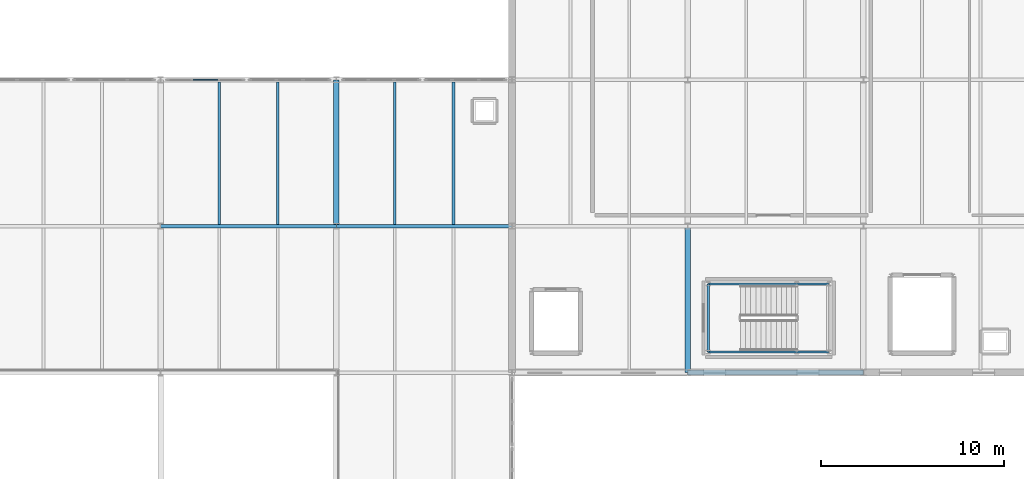
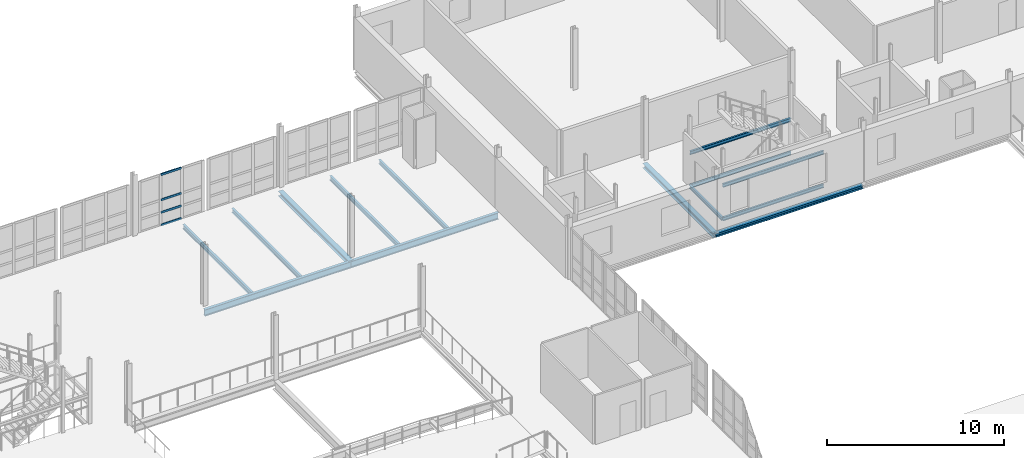
# One storey, part 36 of 73: 14 beams, 4 members, 1 element without a shape of its own.
"""IFC4 building model written with IfcOpenShell, lengths in metres."""

import ifcopenshell
import ifcopenshell.guid

model = None  # the IFC model being written
_history = None  # IfcOwnerHistory: only IFC2X3 demands one
_inside = {}  # id of a spatial element -> (the spatial element, [elements in it])
_under = {}  # id of a project, library or spatial element -> (it, [spatial elements below it])
_declared = {}  # id of a project -> (the project, [libraries it declares])
_typed = {}  # id of a type object -> (the type object, [elements of that type])
_made_of = {}  # id of a material, layer set ... -> (it, [elements and type objects made of it])


def new_model(schema):
    """Start an empty IFC model of exactly this schema.

    Asked for "IFC4X3", IfcOpenShell would pick the latest addendum, in which some entities
    have other attributes; the version numbers below select the first issue.
    IFC2X3 requires an IfcOwnerHistory on every rooted entity: one is made here for all.
    """
    global model, _history
    if schema == "IFC4X3":
        model = ifcopenshell.file(schema_version=(4, 3, 0, 0))
    else:
        model = ifcopenshell.file(schema=schema)
    _inside.clear()
    _under.clear()
    _declared.clear()
    _typed.clear()
    _made_of.clear()
    _history = None
    if model.schema == "IFC2X3":
        org = make("IfcOrganization", Name="unknown")
        user = make(
            "IfcPersonAndOrganization",
            ThePerson=make("IfcPerson", FamilyName="unknown"),
            TheOrganization=org,
        )
        app = make(
            "IfcApplication",
            ApplicationDeveloper=org,
            Version="unknown",
            ApplicationFullName="unknown",
            ApplicationIdentifier="unknown",
        )
        _history = make(
            "IfcOwnerHistory",
            OwningUser=user,
            OwningApplication=app,
            ChangeAction="ADDED",
            CreationDate=0,
        )
    return model


def make(cls, **values):
    """One entity of the class cls with the attributes given. An attribute that is None is left unset."""
    return model.create_entity(
        cls, **{name: value for name, value in values.items() if value is not None}
    )


def rooted(cls, **values):
    """An entity with a GlobalId (a new one), such as an element, a storey or a relation."""
    return make(cls, GlobalId=ifcopenshell.guid.new(), OwnerHistory=_history, **values)


def si_unit(unit_type, name, prefix=None):
    """IfcSIUnit, for example si_unit("LENGTHUNIT", "METRE", prefix="MILLI")."""
    return make("IfcSIUnit", UnitType=unit_type, Prefix=prefix, Name=name)


def assignment(units):
    """IfcUnitAssignment: the units of a project."""
    return None if units is None else make("IfcUnitAssignment", Units=units)


def point(xyz):
    """IfcCartesianPoint."""
    return None if xyz is None else make("IfcCartesianPoint", Coordinates=xyz)


def direction(xyz):
    """IfcDirection."""
    return None if xyz is None else make("IfcDirection", DirectionRatios=xyz)


def frame(location, z_axis=None, x_axis=None):
    """IfcAxis2Placement3D, a coordinate frame: its origin and axes. An axis left out is left unset."""
    return make(
        "IfcAxis2Placement3D",
        Location=point(location),
        Axis=direction(z_axis),
        RefDirection=direction(x_axis),
    )


def frame_2d(location, x_axis=None):
    """IfcAxis2Placement2D, a coordinate frame in the plane: its origin and x axis."""
    return make(
        "IfcAxis2Placement2D", Location=point(location), RefDirection=direction(x_axis)
    )


def origin():
    """The frame at (0, 0, 0) with its axes left unset."""
    return frame((0.0, 0.0, 0.0))


def origin_2d():
    """The frame at (0, 0) in the plane with its x axis left unset."""
    return frame_2d((0.0, 0.0))


def place(relative_to, where):
    """IfcLocalPlacement: puts the frame where relative to a parent placement (None: the world)."""
    return make(
        "IfcLocalPlacement", PlacementRelTo=relative_to, RelativePlacement=where
    )


def context(
    kind, dimensions, precision=None, world=None, true_north=None, identifier=None
):
    """IfcGeometricRepresentationContext, for example the 3D "Model" context."""
    return make(
        "IfcGeometricRepresentationContext",
        ContextIdentifier=identifier,
        ContextType=kind,
        CoordinateSpaceDimension=dimensions,
        Precision=precision,
        WorldCoordinateSystem=world,
        TrueNorth=true_north,
    )


def subcontext(parent, identifier, kind, view, scale=None):
    """IfcGeometricRepresentationSubContext, for example "Body" below "Model"."""
    return make(
        "IfcGeometricRepresentationSubContext",
        ContextIdentifier=identifier,
        ContextType=kind,
        ParentContext=parent,
        TargetScale=scale,
        TargetView=view,
    )


def project(units=None, contexts=None):
    """IfcProject with its units and contexts."""
    return rooted(
        "IfcProject",
        Name="project",
        RepresentationContexts=contexts,
        UnitsInContext=assignment(units),
    )


def spatial(cls, under=None, at=None, **own):
    """A site, building, storey or space (cls), placed at a placement, below another one or the project."""
    s = rooted(cls, ObjectPlacement=at, **own)
    if under is not None:
        _under.setdefault(under.id(), (under, []))[1].append(s)
    return s


def profile(cls, at=None, kind="AREA", **sizes):
    """A parametric profile (cls). Its sizes go by their IFC names, for example OverallWidth=200.0."""
    return make(cls, ProfileType=kind, Position=at, **sizes)


def rectangle(**sizes):
    """IfcRectangleProfileDef."""
    return profile("IfcRectangleProfileDef", **sizes)


def i_section(**sizes):
    """IfcIShapeProfileDef."""
    return profile("IfcIShapeProfileDef", **sizes)


def extrude(swept, where, along, depth):
    """IfcExtrudedAreaSolid: the profile swept, set in the frame where, extruded along a direction by depth."""
    return make(
        "IfcExtrudedAreaSolid",
        SweptArea=swept,
        Position=where,
        ExtrudedDirection=direction(along),
        Depth=depth,
    )


def shape(context_of_items, identifier, shape_type, items):
    """IfcShapeRepresentation: the items that make up one representation, for example the "Body"."""
    return make(
        "IfcShapeRepresentation",
        ContextOfItems=context_of_items,
        RepresentationIdentifier=identifier,
        RepresentationType=shape_type,
        Items=items,
    )


def material(Name=None, Category=None):
    """IfcMaterial."""
    return make("IfcMaterial", Name=Name, Category=Category)


def layer(
    of_material, thickness, ventilated=None, Name=None, Category=None, Priority=None
):
    """IfcMaterialLayer: one layer of a wall or slab, of a material (None: an air gap)."""
    return make(
        "IfcMaterialLayer",
        Material=of_material,
        LayerThickness=thickness,
        IsVentilated=ventilated,
        Name=Name,
        Category=Category,
        Priority=Priority,
    )


def layer_set(layers, Name=None):
    """IfcMaterialLayerSet."""
    return make("IfcMaterialLayerSet", MaterialLayers=layers, LayerSetName=Name)


def material_profile(
    of_material, cross_section, Name=None, Category=None, Priority=None
):
    """IfcMaterialProfile: a cross section and its material."""
    return make(
        "IfcMaterialProfile",
        Name=Name,
        Material=of_material,
        Profile=cross_section,
        Priority=Priority,
        Category=Category,
    )


def profile_set(profiles, Name=None, composite=None):
    """IfcMaterialProfileSet."""
    return make(
        "IfcMaterialProfileSet",
        Name=Name,
        MaterialProfiles=profiles,
        CompositeProfile=composite,
    )


def made_of(thing, what):
    """Note that an element or type object is made of a material, layer set ...; save() writes the relation."""
    if what is not None:
        _made_of.setdefault(what.id(), (what, []))[1].append(thing)
    return thing


def type_object(cls, material=None, **own):
    """A type object (cls), such as IfcWallType, which elements share."""
    return made_of(rooted(cls, **own), material)


def element(
    cls,
    number,
    at=None,
    inside=None,
    cuts=None,
    type_object=None,
    material=None,
    context=None,
    identifier="Body",
    shape_type=None,
    held_by="IfcProductDefinitionShape",
    body=None,
    shapes=None,
    **own,
):
    """One element of the class cls, such as IfcWall. Its Tag is "e" and its number.

    at: its placement. inside: the storey or other place that contains it. cuts: it is an
    opening in that element (IfcRelVoidsElement). A single representation is given by context,
    identifier, shape_type and body (its items); several are given by shapes. held_by: the class
    of the entity that holds the representations. save() writes the other relations.
    """
    e = rooted(cls, Tag="e%d" % number, ObjectPlacement=at, **own)
    if body is not None:
        shapes = [shape(context, identifier, shape_type, body)]
    if shapes is not None:
        e.Representation = make(held_by, Representations=shapes)
    if inside is not None:
        _inside.setdefault(inside.id(), (inside, []))[1].append(e)
    if cuts is not None:
        rooted(
            "IfcRelVoidsElement", RelatingBuildingElement=cuts, RelatedOpeningElement=e
        )
    if type_object is not None:
        _typed.setdefault(type_object.id(), (type_object, []))[1].append(e)
    return made_of(e, material)


def aggregate(whole, parts):
    """IfcRelAggregates: a whole, such as a stair, and the parts it consists of."""
    return rooted("IfcRelAggregates", RelatingObject=whole, RelatedObjects=parts)


def save(model, path):
    """Write the relations noted so far, then the file.

    IfcRelAggregates (storeys below a building ...), IfcRelContainedInSpatialStructure (elements
    in a storey), IfcRelDefinesByType, IfcRelAssociatesMaterial and IfcRelDeclares: one each for
    every whole, place, type object, material and project.
    """
    for whole, parts in _under.values():
        aggregate(whole, parts)
    for where, things in _inside.values():
        rooted(
            "IfcRelContainedInSpatialStructure",
            RelatedElements=things,
            RelatingStructure=where,
        )
    for kind, things in _typed.values():
        rooted("IfcRelDefinesByType", RelatedObjects=things, RelatingType=kind)
    for what, things in _made_of.values():
        rooted("IfcRelAssociatesMaterial", RelatedObjects=things, RelatingMaterial=what)
    for by, libraries in _declared.values():
        rooted("IfcRelDeclares", RelatingContext=by, RelatedDefinitions=libraries)
    model.write(path)


model = new_model("IFC4")

# Units and contexts
model_context = context("Model", 3, precision=1e-05, world=origin(), true_north=direction((0.0, 1.0)))
body_context = subcontext(model_context, "Body", "Model", "MODEL_VIEW")
ifc_project = project(units=[si_unit("LENGTHUNIT", "METRE"), si_unit("AREAUNIT", "SQUARE_METRE"), si_unit("VOLUMEUNIT", "CUBIC_METRE"), si_unit("PLANEANGLEUNIT", "RADIAN"), si_unit("MASSUNIT", "GRAM", prefix="KILO")], contexts=[model_context])

# Site, building, storey
site_placement = place(None, origin())
site = spatial("IfcSite", under=ifc_project, at=site_placement, CompositionType="ELEMENT")
building_placement = place(site_placement, origin())
building = spatial("IfcBuilding", under=site, at=building_placement, Name="Alderhovde Museum", CompositionType="ELEMENT")
storey_placement = place(building_placement, frame((0.0, 0.0, 12.89990234375)))
storey = spatial("IfcBuildingStorey", under=building, at=storey_placement, Name="L03", CompositionType="ELEMENT", Elevation=12.89990234375)

# Beams
ifc_material_1 = material(Name="Steel S355J2", Category="steel")
ifc_material_profile_1 = material_profile(ifc_material_1, i_section(OverallWidth=0.300048828125, OverallDepth=0.330078125, WebThickness=0.009521484375, FlangeThickness=0.0166015625, FilletRadius=0.027099609375, at=origin_2d()), Name="HEA 340")
ifc_profile_set_1 = profile_set([ifc_material_profile_1], Name="Steel S355J2")
beam_type_1 = type_object("IfcBeamType", Name="BM-HEA340", PredefinedType="BEAM", material=ifc_profile_set_1)
for number, where, z_axis, x_axis, name in (
    (1, (105.60009765625, 80.0, -0.48486328125), (0.0, 1.0, 0.0), (-1.0, 0.0, 0.0), "L03 Grid Beam X=105.6 (80.0 TO 88.0)"),
    (2, (124.800048828125, 72.0, -0.4248046875), (0.0, 1.0, 0.0), (-1.0, 0.0, 0.0), "L03 Grid Beam X=124.8 (72.0 TO 80.0)"),
):
    element("IfcBeam", number, at=place(storey_placement, frame(where, z_axis=z_axis, x_axis=x_axis)), inside=storey, type_object=beam_type_1, Name=name, PredefinedType="BEAM", context=body_context, shape_type="SweptSolid", body=[
        extrude(i_section(OverallWidth=0.300048828125, OverallDepth=0.330078125, WebThickness=0.009521484375, FlangeThickness=0.0166015625, FilletRadius=0.027099609375, at=origin_2d()), origin(), (0.0, 0.0, 1.0), 8.0),
    ])
ifc_material_2 = material(Name="Steel S355J2", Category="steel")
ifc_material_profile_2 = material_profile(ifc_material_2, i_section(OverallWidth=0.1201171875, OverallDepth=0.239990234375, WebThickness=0.006103515625, FlangeThickness=0.009765625, FilletRadius=0.014892578125, at=origin_2d()), Name="IPE 240")
ifc_profile_set_2 = profile_set([ifc_material_profile_2], Name="Steel S355J2")
beam_type_2 = type_object("IfcBeamType", Name="BM-IPE240", PredefinedType="BEAM", material=ifc_profile_set_2)
for number, where, z_axis, x_axis, name in (
    (3, (125.919921875, 73.1201171875, -0.3798828125), (1.0, 0.0, 0.0), (0.0, 1.0, 0.0), "L03 Stair ST4 Floor Trimmer S"),
    (4, (125.919921875, 76.840087890625, -0.3798828125), (1.0, 0.0, 0.0), (0.0, 1.0, 0.0), "L03 Stair ST4 Floor Trimmer N"),
):
    element("IfcBeam", number, at=place(storey_placement, frame(where, z_axis=z_axis, x_axis=x_axis)), inside=storey, type_object=beam_type_2, Name=name, PredefinedType="BEAM", context=body_context, shape_type="SweptSolid", body=[
        extrude(i_section(OverallWidth=0.1201171875, OverallDepth=0.239990234375, WebThickness=0.006103515625, FlangeThickness=0.009765625, FilletRadius=0.014892578125, at=origin_2d()), origin(), (0.0, 0.0, 1.0), 6.60009765625),
    ])
beam_1_placement = place(storey_placement, frame((125.919921875, 73.1201171875, -0.3798828125), z_axis=(0.0, 1.0, 0.0), x_axis=(-1.0, 0.0, 0.0)))
element("IfcBeam", 5, at=beam_1_placement, inside=storey, type_object=beam_type_2, Name="L03 Stair ST4 Floor Trimmer W", PredefinedType="BEAM", context=body_context, shape_type="SweptSolid", body=[
    extrude(i_section(OverallWidth=0.1201171875, OverallDepth=0.239990234375, WebThickness=0.006103515625, FlangeThickness=0.009765625, FilletRadius=0.014892578125, at=origin_2d()), origin(), (0.0, 0.0, 1.0), 3.719970703125),
])
for number, where, z_axis, x_axis, name in (
    (6, (125.919921875, 73.1201171875, 1.93017578125), (1.0, 0.0, 0.0), (0.0, 1.0, 0.0), "L03 Stair ST4 Landing 1 Beam S"),
    (7, (125.919921875, 76.840087890625, 1.93017578125), (1.0, 0.0, 0.0), (0.0, 1.0, 0.0), "L03 Stair ST4 Landing 1 Beam N"),
):
    element("IfcBeam", number, at=place(storey_placement, frame(where, z_axis=z_axis, x_axis=x_axis)), inside=storey, type_object=beam_type_2, Name=name, PredefinedType="BEAM", context=body_context, shape_type="SweptSolid", body=[
        extrude(i_section(OverallWidth=0.1201171875, OverallDepth=0.239990234375, WebThickness=0.006103515625, FlangeThickness=0.009765625, FilletRadius=0.014892578125, at=origin_2d()), origin(), (0.0, 0.0, 1.0), 6.60009765625),
    ])
ifc_material_3 = material(Name="Steel S355J2", Category="steel")
ifc_material_profile_3 = material_profile(ifc_material_3, i_section(OverallWidth=0.18994140625, OverallDepth=0.449951171875, WebThickness=0.009521484375, FlangeThickness=0.0146484375, FilletRadius=0.02099609375, at=origin_2d()), Name="IPE 450")
ifc_profile_set_3 = profile_set([ifc_material_profile_3], Name="Steel S355J2")
beam_type_3 = type_object("IfcBeamType", Name="BM-IPE450", PredefinedType="BEAM", material=ifc_profile_set_3)
beam_2_placement = place(storey_placement, frame((96.0, 80.0, -0.544921875), z_axis=(1.0, 0.0, 0.0), x_axis=(0.0, 1.0, 0.0)))
element("IfcBeam", 8, at=beam_2_placement, inside=storey, type_object=beam_type_3, Name="L03 Grid Beam Y=80.0 (96.0 TO 105.6)", PredefinedType="BEAM", context=body_context, shape_type="SweptSolid", body=[
    extrude(i_section(OverallWidth=0.18994140625, OverallDepth=0.449951171875, WebThickness=0.009521484375, FlangeThickness=0.0146484375, FilletRadius=0.02099609375, at=origin_2d()), origin(), (0.0, 0.0, 1.0), 9.60009765625),
])
beam_3_placement = place(storey_placement, frame((105.60009765625, 80.0, -0.544921875), z_axis=(1.0, 0.0, 0.0), x_axis=(0.0, 1.0, 0.0)))
element("IfcBeam", 9, at=beam_3_placement, inside=storey, type_object=beam_type_3, Name="L03 Grid Beam Y=80.0 (105.6 TO 115.2)", PredefinedType="BEAM", context=body_context, shape_type="SweptSolid", body=[
    extrude(i_section(OverallWidth=0.18994140625, OverallDepth=0.449951171875, WebThickness=0.009521484375, FlangeThickness=0.0146484375, FilletRadius=0.02099609375, at=origin_2d()), origin(), (0.0, 0.0, 1.0), 9.599853515625),
])

# Curtain wall, members
ifc_material_4 = material(Name="Triple-Glazed Bronze-Anodised Curtain Wall", Category="glass")
ifc_layer = layer(ifc_material_4, 0.179931640625)
ifc_layer_set = layer_set([ifc_layer], Name="Triple-Glazed Bronze-Anodised Curtain Wall")
curtain_wall_type = type_object("IfcCurtainWallType", Name="CW-UNIT-420x354", PredefinedType="USERDEFINED", material=ifc_layer_set)
curtain_wall_placement = place(storey_placement, origin())
curtain_wall = element("IfcCurtainWall", 10, at=curtain_wall_placement, inside=storey, type_object=curtain_wall_type, Name="L03 Unitised Curtain Wall 52", ObjectType="UNITISED CURTAIN WALL", PredefinedType="USERDEFINED")
ifc_material_5 = material(Name="Bronze-Anodised Aluminium EN AW-6063-T6", Category="aluminium")
ifc_material_profile_4 = material_profile(ifc_material_5, rectangle(XDim=0.06494140625, YDim=0.139892578125, at=origin_2d()), Name="TRANSOM 65x140")
ifc_profile_set_4 = profile_set([ifc_material_profile_4], Name="Bronze-Anodised Aluminium EN AW-6063-T6")
member_type = type_object("IfcMemberType", Name="CWT-65x140", PredefinedType="USERDEFINED", material=ifc_profile_set_4)
member_1_placement = place(storey_placement, frame((97.782470703125, 88.0, 0.03271484375), z_axis=(1.0, 0.0, 0.0), x_axis=(0.0, 1.0, 0.0)))
member_1 = element("IfcMember", 11, at=member_1_placement, type_object=member_type, Name="CW15 transom 2.1", ObjectType="TRANSOM", PredefinedType="USERDEFINED", context=body_context, shape_type="SweptSolid", body=[
    extrude(rectangle(XDim=0.06494140625, YDim=0.139892578125, at=origin_2d()), origin(), (0.0, 0.0, 1.0), 1.3349609375),
])
member_2_placement = place(storey_placement, frame((97.782470703125, 88.0, 0.900146484375), z_axis=(1.0, 0.0, 0.0), x_axis=(0.0, 1.0, 0.0)))
member_2 = element("IfcMember", 12, at=member_2_placement, type_object=member_type, Name="CW15 transom 2.2", ObjectType="TRANSOM", PredefinedType="USERDEFINED", context=body_context, shape_type="SweptSolid", body=[
    extrude(rectangle(XDim=0.06494140625, YDim=0.139892578125, at=origin_2d()), origin(), (0.0, 0.0, 1.0), 1.3349609375),
])
member_3_placement = place(storey_placement, frame((97.782470703125, 88.0, 1.77001953125), z_axis=(1.0, 0.0, 0.0), x_axis=(0.0, 1.0, 0.0)))
member_3 = element("IfcMember", 13, at=member_3_placement, type_object=member_type, Name="CW15 transom 2.3", ObjectType="TRANSOM", PredefinedType="USERDEFINED", context=body_context, shape_type="SweptSolid", body=[
    extrude(rectangle(XDim=0.06494140625, YDim=0.139892578125, at=origin_2d()), origin(), (0.0, 0.0, 1.0), 1.3349609375),
])
member_4_placement = place(storey_placement, frame((97.782470703125, 88.0, 3.507568359375), z_axis=(1.0, 0.0, 0.0), x_axis=(0.0, 1.0, 0.0)))
member_4 = element("IfcMember", 14, at=member_4_placement, type_object=member_type, Name="CW15 transom 2.4", ObjectType="TRANSOM", PredefinedType="USERDEFINED", context=body_context, shape_type="SweptSolid", body=[
    extrude(rectangle(XDim=0.06494140625, YDim=0.139892578125, at=origin_2d()), origin(), (0.0, 0.0, 1.0), 1.3349609375),
])
aggregate(curtain_wall, [member_1, member_2, member_3, member_4])

# Beams
ifc_material_6 = material(Name="Steel S355J2", Category="steel")
ifc_material_profile_5 = material_profile(ifc_material_6, i_section(OverallWidth=0.14990234375, OverallDepth=0.300048828125, WebThickness=0.007080078125, FlangeThickness=0.0107421875, FilletRadius=0.014892578125, at=origin_2d()), Name="IPE 300")
ifc_profile_set_5 = profile_set([ifc_material_profile_5], Name="Steel S355J2")
beam_type_4 = type_object("IfcBeamType", Name="JST-IPE300", PredefinedType="JOIST", material=ifc_profile_set_5)
for number, where, z_axis, x_axis, name in (
    (15, (99.199951171875, 80.094970703125, -0.469970703125), (0.0, 1.0, 0.0), (-1.0, 0.0, 0.0), "L03 Composite Joist X=99.2 (80.0 TO 88.0)"),
    (16, (102.39990234375, 80.094970703125, -0.469970703125), (0.0, 1.0, 0.0), (-1.0, 0.0, 0.0), "L03 Composite Joist X=102.4 (80.0 TO 88.0)"),
    (17, (108.800048828125, 80.094970703125, -0.469970703125), (0.0, 1.0, 0.0), (-1.0, 0.0, 0.0), "L03 Composite Joist X=108.8 (80.0 TO 88.0)"),
    (18, (112.0, 80.094970703125, -0.469970703125), (0.0, 1.0, 0.0), (-1.0, 0.0, 0.0), "L03 Composite Joist X=112.0 (80.0 TO 88.0)"),
):
    element("IfcBeam", number, at=place(storey_placement, frame(where, z_axis=z_axis, x_axis=x_axis)), inside=storey, type_object=beam_type_4, Name=name, PredefinedType="JOIST", context=body_context, shape_type="SweptSolid", body=[
        extrude(i_section(OverallWidth=0.14990234375, OverallDepth=0.300048828125, WebThickness=0.007080078125, FlangeThickness=0.0107421875, FilletRadius=0.014892578125, at=origin_2d()), origin(), (0.0, 0.0, 1.0), 7.775146484375),
    ])
ifc_material_7 = material(Name="Steel S355J2", Category="steel")
ifc_material_profile_6 = material_profile(ifc_material_7, i_section(OverallWidth=0.260009765625, OverallDepth=0.25, WebThickness=0.007568359375, FlangeThickness=0.012451171875, FilletRadius=0.02392578125, at=origin_2d()), Name="HEA 260")
ifc_profile_set_6 = profile_set([ifc_material_profile_6], Name="Steel S355J2")
beam_type_5 = type_object("IfcBeamType", Name="SPD-HEA260", PredefinedType="SPANDREL", material=ifc_profile_set_6)
beam_4_placement = place(storey_placement, frame((124.800048828125, 72.0, -0.385009765625), z_axis=(1.0, 0.0, 0.0), x_axis=(0.0, 1.0, 0.0)))
element("IfcBeam", 19, at=beam_4_placement, inside=storey, type_object=beam_type_5, Name="L03 Grid Beam Y=72.0 (124.8 TO 134.4)", PredefinedType="SPANDREL", context=body_context, shape_type="SweptSolid", body=[
    extrude(i_section(OverallWidth=0.260009765625, OverallDepth=0.25, WebThickness=0.007568359375, FlangeThickness=0.012451171875, FilletRadius=0.02392578125, at=origin_2d()), origin(), (0.0, 0.0, 1.0), 9.599853515625),
])

save(model, "model.ifc")
